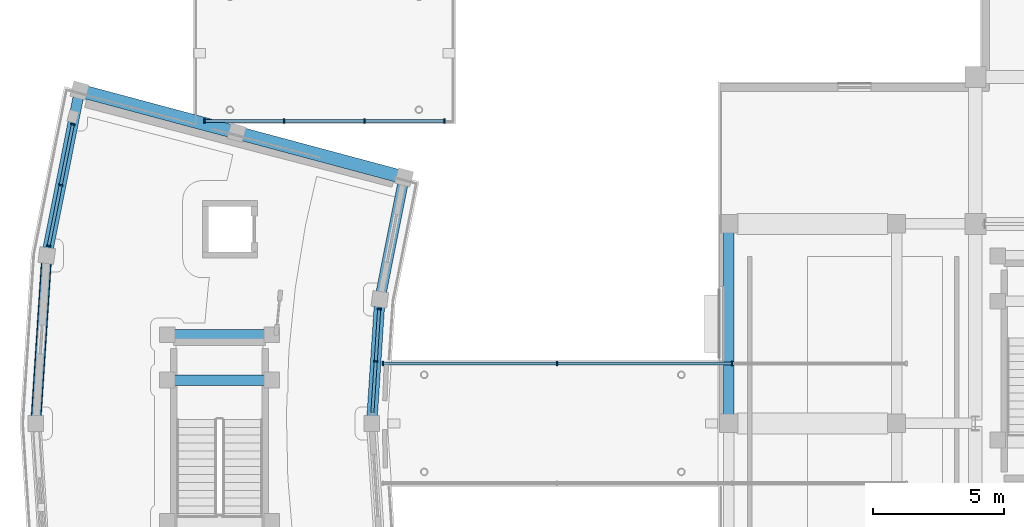
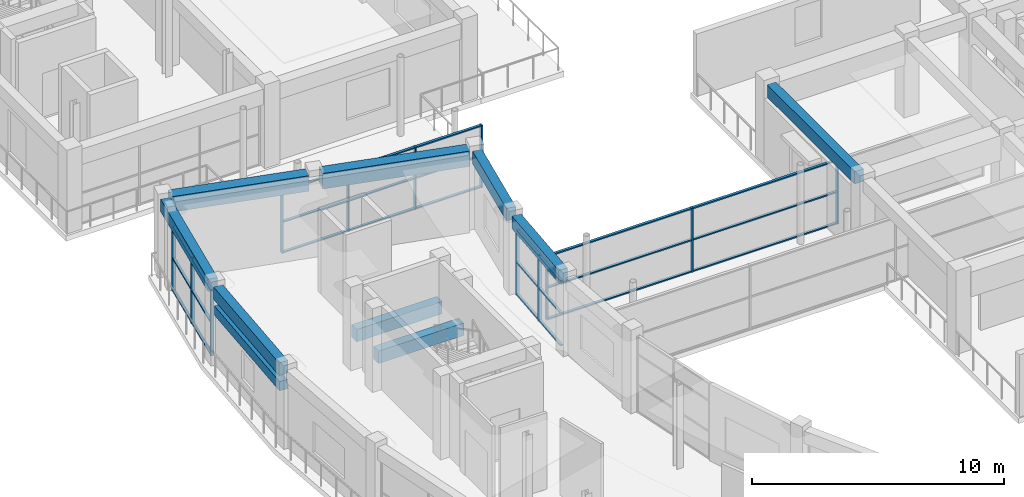
# One storey, part 19 of 70: 39 members, 10 beams, 4 elements without a shape of their own.
"""IFC4 building model written with IfcOpenShell, lengths in metres."""

from ifc_helpers import new_model, si_unit, direction, frame, origin, origin_2d, place, context, subcontext, project, spatial, rectangle, extrude, material, material_profile, profile_set, type_object, element, aggregate, save


model = new_model("IFC4")

# Units and contexts
model_context = context("Model", 3, precision=1e-05, world=origin(), true_north=direction((0.0, 1.0)))
body_context = subcontext(model_context, "Body", "Model", "MODEL_VIEW")
ifc_project = project(units=[si_unit("LENGTHUNIT", "METRE"), si_unit("AREAUNIT", "SQUARE_METRE"), si_unit("VOLUMEUNIT", "CUBIC_METRE"), si_unit("PLANEANGLEUNIT", "RADIAN"), si_unit("MASSUNIT", "GRAM", prefix="KILO")], contexts=[model_context])

# Site, building, storey
site_placement = place(None, origin())
site = spatial("IfcSite", under=ifc_project, at=site_placement, CompositionType="ELEMENT")
building_placement = place(site_placement, origin())
building = spatial("IfcBuilding", under=site, at=building_placement, Name="Saryqyr Civic Hall", CompositionType="ELEMENT")
storey_placement = place(building_placement, frame((0.0, 0.0, 13.199951171875)))
storey = spatial("IfcBuildingStorey", under=building, at=storey_placement, Name="L03", CompositionType="ELEMENT", Elevation=13.199951171875)

# Curtain wall, members
ifc_material_1 = material(Name="Anodised aluminium and triple low-E glass", Category="aluminium")
curtain_wall_type_1 = type_object("IfcCurtainWallType", Name="ENV-CW-STD-28", PredefinedType="NOTDEFINED", material=ifc_material_1)
curtain_wall_1_placement = place(storey_placement, origin())
curtain_wall_1 = element("IfcCurtainWall", 1, at=curtain_wall_1_placement, inside=storey, type_object=curtain_wall_type_1, Name="Curtain wall V4-CWO-L03-00", PredefinedType="NOTDEFINED")
ifc_material_2 = material(Name="Anodised aluminium", Category="aluminium")
ifc_material_profile_1 = material_profile(ifc_material_2, rectangle(XDim=0.06005859375, YDim=0.159912109375, at=origin_2d()), Name="ALU MULLION 60x160")
ifc_profile_set_1 = profile_set([ifc_material_profile_1], Name="Anodised aluminium")
member_type_1 = type_object("IfcMemberType", Name="ENV-CW-MUL-180", PredefinedType="MULLION", material=ifc_profile_set_1)
member_1_placement = place(storey_placement, frame((8.49267578125, 90.76513671875, 0.0), z_axis=(0.0, 0.0, 1.0), x_axis=(0.195097982764, 0.980783756555, 0.0)))
member_1 = element("IfcMember", 2, at=member_1_placement, type_object=member_type_1, Name="CW-28 mullion 1", PredefinedType="MULLION", context=body_context, shape_type="SweptSolid", body=[
    extrude(rectangle(XDim=0.06005859375, YDim=0.159912109375, at=origin_2d()), origin(), (0.0, 0.0, 1.0), 3.1650390625),
])
member_2_placement = place(storey_placement, frame((8.952880859375, 93.079345703125, 0.0), z_axis=(0.0, 0.0, 1.0), x_axis=(0.195097982764, 0.980783756555, 0.0)))
member_2 = element("IfcMember", 3, at=member_2_placement, type_object=member_type_1, Name="CW-28 mullion 2", PredefinedType="MULLION", context=body_context, shape_type="SweptSolid", body=[
    extrude(rectangle(XDim=0.06005859375, YDim=0.159912109375, at=origin_2d()), origin(), (0.0, 0.0, 1.0), 3.1650390625),
])
member_3_placement = place(storey_placement, frame((9.413330078125, 95.3935546875, 0.0), z_axis=(0.0, 0.0, 1.0), x_axis=(0.195097982764, 0.980783756555, 0.0)))
member_3 = element("IfcMember", 4, at=member_3_placement, type_object=member_type_1, Name="CW-28 mullion 3", PredefinedType="MULLION", context=body_context, shape_type="SweptSolid", body=[
    extrude(rectangle(XDim=0.06005859375, YDim=0.159912109375, at=origin_2d()), origin(), (0.0, 0.0, 1.0), 3.1650390625),
])

curtain_wall_type_2 = type_object("IfcCurtainWallType", Name="ENV-CW-STD-21", PredefinedType="NOTDEFINED", material=ifc_material_1)
curtain_wall_2_placement = place(storey_placement, origin())
curtain_wall_2 = element("IfcCurtainWall", 5, at=curtain_wall_2_placement, inside=storey, type_object=curtain_wall_type_2, Name="Curtain wall V4-CWI-L03-01", PredefinedType="NOTDEFINED")
member_4_placement = place(storey_placement, frame((21.08544921875, 88.35498046875, 0.0), z_axis=(0.0, 0.0, 1.0), x_axis=(-0.065397404214, -0.997859298459, 0.0)))
member_4 = element("IfcMember", 6, at=member_4_placement, type_object=member_type_1, Name="CW-21 mullion 1", PredefinedType="MULLION", context=body_context, shape_type="SweptSolid", body=[
    extrude(rectangle(XDim=0.06005859375, YDim=0.159912109375, at=origin_2d()), origin(), (0.0, 0.0, 1.0), 3.1650390625),
])
member_5_placement = place(storey_placement, frame((20.954833984375, 86.362548828125, 0.0), z_axis=(0.0, 0.0, 1.0), x_axis=(-0.065397404214, -0.997859298459, 0.0)))
member_5 = element("IfcMember", 7, at=member_5_placement, type_object=member_type_1, Name="CW-21 mullion 2", PredefinedType="MULLION", context=body_context, shape_type="SweptSolid", body=[
    extrude(rectangle(XDim=0.06005859375, YDim=0.159912109375, at=origin_2d()), origin(), (0.0, 0.0, 1.0), 3.1650390625),
])

curtain_wall_type_3 = type_object("IfcCurtainWallType", Name="ENV-CW-STD-84", PredefinedType="NOTDEFINED", material=ifc_material_1)
curtain_wall_3_placement = place(storey_placement, origin())
curtain_wall_3 = element("IfcCurtainWall", 8, at=curtain_wall_3_placement, inside=storey, type_object=curtain_wall_type_3, Name="Curtain wall BR-NW-CW1-L03", PredefinedType="NOTDEFINED")
member_6_placement = place(storey_placement, frame((23.570068359375, 95.52001953125, 0.0), z_axis=(0.0, 0.0, 1.0), x_axis=(-1.0, 0.0, 0.0)))
member_6 = element("IfcMember", 9, at=member_6_placement, type_object=member_type_1, Name="CW-84 mullion 1", PredefinedType="MULLION", context=body_context, shape_type="SweptSolid", body=[
    extrude(rectangle(XDim=0.06005859375, YDim=0.159912109375, at=origin_2d()), origin(), (0.0, 0.0, 1.0), 3.01513671875),
])
member_7_placement = place(storey_placement, frame((20.533447265625, 95.52001953125, 0.0), z_axis=(0.0, 0.0, 1.0), x_axis=(-1.0, 0.0, 0.0)))
member_7 = element("IfcMember", 10, at=member_7_placement, type_object=member_type_1, Name="CW-84 mullion 2", PredefinedType="MULLION", context=body_context, shape_type="SweptSolid", body=[
    extrude(rectangle(XDim=0.06005859375, YDim=0.159912109375, at=origin_2d()), origin(), (0.0, 0.0, 1.0), 3.01513671875),
])
member_8_placement = place(storey_placement, frame((17.466552734375, 95.52001953125, 0.0), z_axis=(0.0, 0.0, 1.0), x_axis=(-1.0, 0.0, 0.0)))
member_8 = element("IfcMember", 11, at=member_8_placement, type_object=member_type_1, Name="CW-84 mullion 3", PredefinedType="MULLION", context=body_context, shape_type="SweptSolid", body=[
    extrude(rectangle(XDim=0.06005859375, YDim=0.159912109375, at=origin_2d()), origin(), (0.0, 0.0, 1.0), 3.01513671875),
])
member_9_placement = place(storey_placement, frame((14.429931640625, 95.52001953125, 0.0), z_axis=(0.0, 0.0, 1.0), x_axis=(-1.0, 0.0, 0.0)))
member_9 = element("IfcMember", 12, at=member_9_placement, type_object=member_type_1, Name="CW-84 mullion 4", PredefinedType="MULLION", context=body_context, shape_type="SweptSolid", body=[
    extrude(rectangle(XDim=0.06005859375, YDim=0.159912109375, at=origin_2d()), origin(), (0.0, 0.0, 1.0), 3.01513671875),
])

curtain_wall_type_4 = type_object("IfcCurtainWallType", Name="ENV-CW-STD-86", PredefinedType="NOTDEFINED", material=ifc_material_1)
curtain_wall_4_placement = place(storey_placement, origin())
curtain_wall_4 = element("IfcCurtainWall", 13, at=curtain_wall_4_placement, inside=storey, type_object=curtain_wall_type_4, Name="Curtain wall BR-CW-CW2-L03", PredefinedType="NOTDEFINED")
member_10_placement = place(storey_placement, frame((21.22998046875, 86.280029296875, 0.0), z_axis=(0.0, 0.0, 1.0), x_axis=(1.0, 0.0, 0.0)))
member_10 = element("IfcMember", 14, at=member_10_placement, type_object=member_type_1, Name="CW-86 mullion 1", PredefinedType="MULLION", context=body_context, shape_type="SweptSolid", body=[
    extrude(rectangle(XDim=0.06005859375, YDim=0.159912109375, at=origin_2d()), origin(), (0.0, 0.0, 1.0), 3.10009765625),
])
member_11_placement = place(storey_placement, frame((27.86669921875, 86.280029296875, 0.0), z_axis=(0.0, 0.0, 1.0), x_axis=(1.0, 0.0, 0.0)))
member_11 = element("IfcMember", 15, at=member_11_placement, type_object=member_type_1, Name="CW-86 mullion 2", PredefinedType="MULLION", context=body_context, shape_type="SweptSolid", body=[
    extrude(rectangle(XDim=0.06005859375, YDim=0.159912109375, at=origin_2d()), origin(), (0.0, 0.0, 1.0), 3.10009765625),
])
member_12_placement = place(storey_placement, frame((34.533447265625, 86.280029296875, 0.0), z_axis=(0.0, 0.0, 1.0), x_axis=(1.0, 0.0, 0.0)))
member_12 = element("IfcMember", 16, at=member_12_placement, type_object=member_type_1, Name="CW-86 mullion 3", PredefinedType="MULLION", context=body_context, shape_type="SweptSolid", body=[
    extrude(rectangle(XDim=0.06005859375, YDim=0.159912109375, at=origin_2d()), origin(), (0.0, 0.0, 1.0), 3.10009765625),
])

# Member
ifc_material_profile_2 = material_profile(ifc_material_2, rectangle(XDim=0.1201171875, YDim=0.06005859375, at=origin_2d()), Name="ALU TRANSOM 120x60")
ifc_profile_set_2 = profile_set([ifc_material_profile_2], Name="Anodised aluminium")
member_type_2 = type_object("IfcMemberType", Name="ENV-CW-TRN-150", PredefinedType="USERDEFINED", material=ifc_profile_set_2)
member_13_placement = place(storey_placement, frame((8.49853515625, 90.794677734375, 0.030029296875), z_axis=(0.19513602868, 0.980776187675, 0.0), x_axis=(-0.980776187675, 0.19513602868, 0.0)))
member_13 = element("IfcMember", 17, at=member_13_placement, type_object=member_type_2, Name="CW-28 transom 1.1", ObjectType="TRANSOM", PredefinedType="USERDEFINED", context=body_context, shape_type="SweptSolid", body=[
    extrude(rectangle(XDim=0.1201171875, YDim=0.06005859375, at=origin_2d()), origin(), (0.0, 0.0, 1.0), 2.299560546875),
])

member_14_placement = place(storey_placement, frame((8.49853515625, 90.794677734375, 1.58203125), z_axis=(0.19513602868, 0.980776187675, 0.0), x_axis=(-0.980776187675, 0.19513602868, 0.0)))
member_14 = element("IfcMember", 18, at=member_14_placement, type_object=member_type_2, Name="CW-28 transom 1.2", ObjectType="TRANSOM", PredefinedType="USERDEFINED", context=body_context, shape_type="SweptSolid", body=[
    extrude(rectangle(XDim=0.1201171875, YDim=0.06005859375, at=origin_2d()), origin(), (0.0, 0.0, 1.0), 2.299560546875),
])

member_15_placement = place(storey_placement, frame((8.49853515625, 90.794677734375, 3.135009765625), z_axis=(0.19513602868, 0.980776187675, 0.0), x_axis=(-0.980776187675, 0.19513602868, 0.0)))
member_15 = element("IfcMember", 19, at=member_15_placement, type_object=member_type_2, Name="CW-28 transom 1.3", ObjectType="TRANSOM", PredefinedType="USERDEFINED", context=body_context, shape_type="SweptSolid", body=[
    extrude(rectangle(XDim=0.1201171875, YDim=0.06005859375, at=origin_2d()), origin(), (0.0, 0.0, 1.0), 2.299560546875),
])

member_16_placement = place(storey_placement, frame((8.958740234375, 93.10888671875, 0.030029296875), z_axis=(0.19513602868, 0.980776187675, 0.0), x_axis=(-0.980776187675, 0.19513602868, 0.0)))
member_16 = element("IfcMember", 20, at=member_16_placement, type_object=member_type_2, Name="CW-28 transom 2.1", ObjectType="TRANSOM", PredefinedType="USERDEFINED", context=body_context, shape_type="SweptSolid", body=[
    extrude(rectangle(XDim=0.1201171875, YDim=0.06005859375, at=origin_2d()), origin(), (0.0, 0.0, 1.0), 2.299560546875),
])

member_17_placement = place(storey_placement, frame((8.958740234375, 93.10888671875, 1.58203125), z_axis=(0.19513602868, 0.980776187675, 0.0), x_axis=(-0.980776187675, 0.19513602868, 0.0)))
member_17 = element("IfcMember", 21, at=member_17_placement, type_object=member_type_2, Name="CW-28 transom 2.2", ObjectType="TRANSOM", PredefinedType="USERDEFINED", context=body_context, shape_type="SweptSolid", body=[
    extrude(rectangle(XDim=0.1201171875, YDim=0.06005859375, at=origin_2d()), origin(), (0.0, 0.0, 1.0), 2.299560546875),
])

member_18_placement = place(storey_placement, frame((8.958740234375, 93.10888671875, 3.135009765625), z_axis=(0.19513602868, 0.980776187675, 0.0), x_axis=(-0.980776187675, 0.19513602868, 0.0)))
member_18 = element("IfcMember", 22, at=member_18_placement, type_object=member_type_2, Name="CW-28 transom 2.3", ObjectType="TRANSOM", PredefinedType="USERDEFINED", context=body_context, shape_type="SweptSolid", body=[
    extrude(rectangle(XDim=0.1201171875, YDim=0.06005859375, at=origin_2d()), origin(), (0.0, 0.0, 1.0), 2.299560546875),
])

aggregate(curtain_wall_1, [member_1, member_2, member_3, member_13, member_14, member_15, member_16, member_17, member_18])

member_19_placement = place(storey_placement, frame((21.08349609375, 88.3251953125, 0.030029296875), z_axis=(-0.065414726113, -0.997858163071, 0.0), x_axis=(0.997858163071, -0.065414726113, 0.0)))
member_19 = element("IfcMember", 23, at=member_19_placement, type_object=member_type_2, Name="CW-21 transom 1.1", ObjectType="TRANSOM", PredefinedType="USERDEFINED", context=body_context, shape_type="SweptSolid", body=[
    extrude(rectangle(XDim=0.1201171875, YDim=0.06005859375, at=origin_2d()), origin(), (0.0, 0.0, 1.0), 1.93701171875),
])

member_20_placement = place(storey_placement, frame((21.08349609375, 88.3251953125, 1.58203125), z_axis=(-0.065414726113, -0.997858163071, 0.0), x_axis=(0.997858163071, -0.065414726113, 0.0)))
member_20 = element("IfcMember", 24, at=member_20_placement, type_object=member_type_2, Name="CW-21 transom 1.2", ObjectType="TRANSOM", PredefinedType="USERDEFINED", context=body_context, shape_type="SweptSolid", body=[
    extrude(rectangle(XDim=0.1201171875, YDim=0.06005859375, at=origin_2d()), origin(), (0.0, 0.0, 1.0), 1.93701171875),
])

member_21_placement = place(storey_placement, frame((21.08349609375, 88.3251953125, 3.135009765625), z_axis=(-0.065414726113, -0.997858163071, 0.0), x_axis=(0.997858163071, -0.065414726113, 0.0)))
member_21 = element("IfcMember", 25, at=member_21_placement, type_object=member_type_2, Name="CW-21 transom 1.3", ObjectType="TRANSOM", PredefinedType="USERDEFINED", context=body_context, shape_type="SweptSolid", body=[
    extrude(rectangle(XDim=0.1201171875, YDim=0.06005859375, at=origin_2d()), origin(), (0.0, 0.0, 1.0), 1.93701171875),
])

member_22_placement = place(storey_placement, frame((20.952880859375, 86.33251953125, 0.030029296875), z_axis=(-0.065422954354, -0.997857623634, 0.0), x_axis=(0.997857623634, -0.065422954354, 0.0)))
member_22 = element("IfcMember", 26, at=member_22_placement, type_object=member_type_2, Name="CW-21 transom 2.1", ObjectType="TRANSOM", PredefinedType="USERDEFINED", context=body_context, shape_type="SweptSolid", body=[
    extrude(rectangle(XDim=0.1201171875, YDim=0.06005859375, at=origin_2d()), origin(), (0.0, 0.0, 1.0), 1.936767578125),
])

member_23_placement = place(storey_placement, frame((20.952880859375, 86.33251953125, 1.58203125), z_axis=(-0.065422954354, -0.997857623634, 0.0), x_axis=(0.997857623634, -0.065422954354, 0.0)))
member_23 = element("IfcMember", 27, at=member_23_placement, type_object=member_type_2, Name="CW-21 transom 2.2", ObjectType="TRANSOM", PredefinedType="USERDEFINED", context=body_context, shape_type="SweptSolid", body=[
    extrude(rectangle(XDim=0.1201171875, YDim=0.06005859375, at=origin_2d()), origin(), (0.0, 0.0, 1.0), 1.936767578125),
])

member_24_placement = place(storey_placement, frame((20.952880859375, 86.33251953125, 3.135009765625), z_axis=(-0.065422954354, -0.997857623634, 0.0), x_axis=(0.997857623634, -0.065422954354, 0.0)))
member_24 = element("IfcMember", 28, at=member_24_placement, type_object=member_type_2, Name="CW-21 transom 2.3", ObjectType="TRANSOM", PredefinedType="USERDEFINED", context=body_context, shape_type="SweptSolid", body=[
    extrude(rectangle(XDim=0.1201171875, YDim=0.06005859375, at=origin_2d()), origin(), (0.0, 0.0, 1.0), 1.936767578125),
])

aggregate(curtain_wall_2, [member_4, member_5, member_19, member_20, member_21, member_22, member_23, member_24])

member_25_placement = place(storey_placement, frame((23.5400390625, 95.52001953125, 0.030029296875), z_axis=(-1.0, 0.0, 0.0), x_axis=(0.0, -1.0, 0.0)))
member_25 = element("IfcMember", 29, at=member_25_placement, type_object=member_type_2, Name="CW-84 transom 1.1", ObjectType="TRANSOM", PredefinedType="USERDEFINED", context=body_context, shape_type="SweptSolid", body=[
    extrude(rectangle(XDim=0.1201171875, YDim=0.06005859375, at=origin_2d()), origin(), (0.0, 0.0, 1.0), 2.976806640625),
])

member_26_placement = place(storey_placement, frame((23.5400390625, 95.52001953125, 1.507080078125), z_axis=(-1.0, 0.0, 0.0), x_axis=(0.0, -1.0, 0.0)))
member_26 = element("IfcMember", 30, at=member_26_placement, type_object=member_type_2, Name="CW-84 transom 1.2", ObjectType="TRANSOM", PredefinedType="USERDEFINED", context=body_context, shape_type="SweptSolid", body=[
    extrude(rectangle(XDim=0.1201171875, YDim=0.06005859375, at=origin_2d()), origin(), (0.0, 0.0, 1.0), 2.976806640625),
])

member_27_placement = place(storey_placement, frame((23.5400390625, 95.52001953125, 2.985107421875), z_axis=(-1.0, 0.0, 0.0), x_axis=(0.0, -1.0, 0.0)))
member_27 = element("IfcMember", 31, at=member_27_placement, type_object=member_type_2, Name="CW-84 transom 1.3", ObjectType="TRANSOM", PredefinedType="USERDEFINED", context=body_context, shape_type="SweptSolid", body=[
    extrude(rectangle(XDim=0.1201171875, YDim=0.06005859375, at=origin_2d()), origin(), (0.0, 0.0, 1.0), 2.976806640625),
])

member_28_placement = place(storey_placement, frame((20.50341796875, 95.52001953125, 0.030029296875), z_axis=(-1.0, 0.0, 0.0), x_axis=(0.0, -1.0, 0.0)))
member_28 = element("IfcMember", 32, at=member_28_placement, type_object=member_type_2, Name="CW-84 transom 2.1", ObjectType="TRANSOM", PredefinedType="USERDEFINED", context=body_context, shape_type="SweptSolid", body=[
    extrude(rectangle(XDim=0.1201171875, YDim=0.06005859375, at=origin_2d()), origin(), (0.0, 0.0, 1.0), 3.0068359375),
])

member_29_placement = place(storey_placement, frame((20.50341796875, 95.52001953125, 1.507080078125), z_axis=(-1.0, 0.0, 0.0), x_axis=(0.0, -1.0, 0.0)))
member_29 = element("IfcMember", 33, at=member_29_placement, type_object=member_type_2, Name="CW-84 transom 2.2", ObjectType="TRANSOM", PredefinedType="USERDEFINED", context=body_context, shape_type="SweptSolid", body=[
    extrude(rectangle(XDim=0.1201171875, YDim=0.06005859375, at=origin_2d()), origin(), (0.0, 0.0, 1.0), 3.0068359375),
])

member_30_placement = place(storey_placement, frame((20.50341796875, 95.52001953125, 2.985107421875), z_axis=(-1.0, 0.0, 0.0), x_axis=(0.0, -1.0, 0.0)))
member_30 = element("IfcMember", 34, at=member_30_placement, type_object=member_type_2, Name="CW-84 transom 2.3", ObjectType="TRANSOM", PredefinedType="USERDEFINED", context=body_context, shape_type="SweptSolid", body=[
    extrude(rectangle(XDim=0.1201171875, YDim=0.06005859375, at=origin_2d()), origin(), (0.0, 0.0, 1.0), 3.0068359375),
])

member_31_placement = place(storey_placement, frame((17.436767578125, 95.52001953125, 0.030029296875), z_axis=(-1.0, 0.0, 0.0), x_axis=(0.0, -1.0, 0.0)))
member_31 = element("IfcMember", 35, at=member_31_placement, type_object=member_type_2, Name="CW-84 transom 3.1", ObjectType="TRANSOM", PredefinedType="USERDEFINED", context=body_context, shape_type="SweptSolid", body=[
    extrude(rectangle(XDim=0.1201171875, YDim=0.06005859375, at=origin_2d()), origin(), (0.0, 0.0, 1.0), 2.976806640625),
])

member_32_placement = place(storey_placement, frame((17.436767578125, 95.52001953125, 1.507080078125), z_axis=(-1.0, 0.0, 0.0), x_axis=(0.0, -1.0, 0.0)))
member_32 = element("IfcMember", 36, at=member_32_placement, type_object=member_type_2, Name="CW-84 transom 3.2", ObjectType="TRANSOM", PredefinedType="USERDEFINED", context=body_context, shape_type="SweptSolid", body=[
    extrude(rectangle(XDim=0.1201171875, YDim=0.06005859375, at=origin_2d()), origin(), (0.0, 0.0, 1.0), 2.976806640625),
])

member_33_placement = place(storey_placement, frame((17.436767578125, 95.52001953125, 2.985107421875), z_axis=(-1.0, 0.0, 0.0), x_axis=(0.0, -1.0, 0.0)))
member_33 = element("IfcMember", 37, at=member_33_placement, type_object=member_type_2, Name="CW-84 transom 3.3", ObjectType="TRANSOM", PredefinedType="USERDEFINED", context=body_context, shape_type="SweptSolid", body=[
    extrude(rectangle(XDim=0.1201171875, YDim=0.06005859375, at=origin_2d()), origin(), (0.0, 0.0, 1.0), 2.976806640625),
])

aggregate(curtain_wall_3, [member_6, member_7, member_8, member_9, member_25, member_26, member_27, member_28, member_29, member_30, member_31, member_32, member_33])

member_34_placement = place(storey_placement, frame((21.260009765625, 86.280029296875, 0.030029296875), z_axis=(1.0, 0.0, 0.0), x_axis=(0.0, 1.0, 0.0)))
member_34 = element("IfcMember", 38, at=member_34_placement, type_object=member_type_2, Name="CW-86 transom 1.1", ObjectType="TRANSOM", PredefinedType="USERDEFINED", context=body_context, shape_type="SweptSolid", body=[
    extrude(rectangle(XDim=0.1201171875, YDim=0.06005859375, at=origin_2d()), origin(), (0.0, 0.0, 1.0), 6.57666015625),
])

member_35_placement = place(storey_placement, frame((21.260009765625, 86.280029296875, 1.550048828125), z_axis=(1.0, 0.0, 0.0), x_axis=(0.0, 1.0, 0.0)))
member_35 = element("IfcMember", 39, at=member_35_placement, type_object=member_type_2, Name="CW-86 transom 1.2", ObjectType="TRANSOM", PredefinedType="USERDEFINED", context=body_context, shape_type="SweptSolid", body=[
    extrude(rectangle(XDim=0.1201171875, YDim=0.06005859375, at=origin_2d()), origin(), (0.0, 0.0, 1.0), 6.57666015625),
])

member_36_placement = place(storey_placement, frame((21.260009765625, 86.280029296875, 3.070068359375), z_axis=(1.0, 0.0, 0.0), x_axis=(0.0, 1.0, 0.0)))
member_36 = element("IfcMember", 40, at=member_36_placement, type_object=member_type_2, Name="CW-86 transom 1.3", ObjectType="TRANSOM", PredefinedType="USERDEFINED", context=body_context, shape_type="SweptSolid", body=[
    extrude(rectangle(XDim=0.1201171875, YDim=0.06005859375, at=origin_2d()), origin(), (0.0, 0.0, 1.0), 6.57666015625),
])

member_37_placement = place(storey_placement, frame((27.896728515625, 86.280029296875, 0.030029296875), z_axis=(1.0, 0.0, 0.0), x_axis=(0.0, 1.0, 0.0)))
member_37 = element("IfcMember", 41, at=member_37_placement, type_object=member_type_2, Name="CW-86 transom 2.1", ObjectType="TRANSOM", PredefinedType="USERDEFINED", context=body_context, shape_type="SweptSolid", body=[
    extrude(rectangle(XDim=0.1201171875, YDim=0.06005859375, at=origin_2d()), origin(), (0.0, 0.0, 1.0), 6.606689453125),
])

member_38_placement = place(storey_placement, frame((27.896728515625, 86.280029296875, 1.550048828125), z_axis=(1.0, 0.0, 0.0), x_axis=(0.0, 1.0, 0.0)))
member_38 = element("IfcMember", 42, at=member_38_placement, type_object=member_type_2, Name="CW-86 transom 2.2", ObjectType="TRANSOM", PredefinedType="USERDEFINED", context=body_context, shape_type="SweptSolid", body=[
    extrude(rectangle(XDim=0.1201171875, YDim=0.06005859375, at=origin_2d()), origin(), (0.0, 0.0, 1.0), 6.606689453125),
])

member_39_placement = place(storey_placement, frame((27.896728515625, 86.280029296875, 3.070068359375), z_axis=(1.0, 0.0, 0.0), x_axis=(0.0, 1.0, 0.0)))
member_39 = element("IfcMember", 43, at=member_39_placement, type_object=member_type_2, Name="CW-86 transom 2.3", ObjectType="TRANSOM", PredefinedType="USERDEFINED", context=body_context, shape_type="SweptSolid", body=[
    extrude(rectangle(XDim=0.1201171875, YDim=0.06005859375, at=origin_2d()), origin(), (0.0, 0.0, 1.0), 6.606689453125),
])

aggregate(curtain_wall_4, [member_10, member_11, member_12, member_34, member_35, member_36, member_37, member_38, member_39])

# Beams
ifc_material_3 = material(Name="Concrete C35/45", Category="concrete")
ifc_material_profile_3 = material_profile(ifc_material_3, rectangle(XDim=0.39990234375, YDim=0.60009765625, at=origin_2d()), Name="RC 400x600")
ifc_profile_set_3 = profile_set([ifc_material_profile_3], Name="Concrete C35/45")
beam_type_1 = type_object("IfcBeamType", Name="STR-BM-RC400x600", PredefinedType="BEAM", material=ifc_profile_set_3)
beam_1_placement = place(storey_placement, frame((34.39990234375, 84.324951171875, 3.489990234375), z_axis=(0.0, 1.0, 0.0), x_axis=(-1.0, 0.0, 0.0)))
element("IfcBeam", 44, at=beam_1_placement, inside=storey, type_object=beam_type_1, Name="Beam V1-TBM-02-L03", PredefinedType="BEAM", context=body_context, shape_type="SweptSolid", body=[
    extrude(rectangle(XDim=0.39990234375, YDim=0.60009765625, at=origin_2d()), origin(), (0.0, 0.0, 1.0), 6.949951171875),
])
for number, where, z_axis, x_axis, name in (
    (45, (16.949951171875, 85.64990234375, 1.525146484375), (-1.0, 0.0, 0.0), (0.0, -1.0, 0.0), "Stair half-landing support beam ST-4-LND1-L03"),
    (46, (16.949951171875, 87.3798828125, 1.525146484375), (-1.0, 0.0, 0.0), (0.0, -1.0, 0.0), "Stair half-landing support beam ST-4-LND2-L03"),
):
    element("IfcBeam", number, at=place(storey_placement, frame(where, z_axis=z_axis, x_axis=x_axis)), inside=storey, type_object=beam_type_1, Name=name, PredefinedType="BEAM", context=body_context, shape_type="SweptSolid", body=[
        extrude(rectangle(XDim=0.39990234375, YDim=0.60009765625, at=origin_2d()), origin(), (0.0, 0.0, 1.0), 3.89990234375),
    ])
ifc_material_profile_4 = material_profile(ifc_material_3, rectangle(XDim=0.39990234375, YDim=0.60009765625, at=origin_2d()), Name="RC 400x600")
ifc_profile_set_4 = profile_set([ifc_material_profile_4], Name="Concrete C35/45")
beam_type_2 = type_object("IfcBeamType", Name="STR-BM-RC400x600-EXT", PredefinedType="BEAM", material=ifc_profile_set_4)
beam_2_placement = place(storey_placement, frame((21.979736328125, 93.099609375, 3.489990234375), z_axis=(-0.195061562162, -0.980791000656, 0.0), x_axis=(0.980791000656, -0.195061562162, 0.0)))
element("IfcBeam", 47, at=beam_2_placement, inside=storey, type_object=beam_type_2, Name="Beam V4-CBM-IN00-L03", PredefinedType="BEAM", context=body_context, shape_type="SweptSolid", body=[
    extrude(rectangle(XDim=0.39990234375, YDim=0.60009765625, at=origin_2d()), origin(), (0.0, 0.0, 1.0), 4.185302734375),
])
beam_3_placement = place(storey_placement, frame((9.615966796875, 96.412353515625, 3.489990234375), z_axis=(-0.195082377398, -0.980786860653, 0.0), x_axis=(0.980786860653, -0.195082377398, 0.0)))
element("IfcBeam", 48, at=beam_3_placement, inside=storey, type_object=beam_type_2, Name="Beam V4-CBM-OUT00-L03", PredefinedType="BEAM", context=body_context, shape_type="SweptSolid", body=[
    extrude(rectangle(XDim=0.39990234375, YDim=0.60009765625, at=origin_2d()), origin(), (0.0, 0.0, 1.0), 5.859375),
])
beam_4_placement = place(storey_placement, frame((21.091796875, 88.45068359375, 3.489990234375), z_axis=(-0.065392297948, -0.997859633099, 0.0), x_axis=(0.997859633099, -0.065392297948, 0.0)))
element("IfcBeam", 49, at=beam_4_placement, inside=storey, type_object=beam_type_2, Name="Beam V4-CBM-IN01-L03", PredefinedType="BEAM", context=body_context, shape_type="SweptSolid", body=[
    extrude(rectangle(XDim=0.39990234375, YDim=0.60009765625, at=origin_2d()), origin(), (0.0, 0.0, 1.0), 4.185302734375),
])
beam_5_placement = place(storey_placement, frame((8.401123046875, 90.121337890625, 3.489990234375), z_axis=(-0.06537407149, -0.997860827359, 0.0), x_axis=(0.997860827359, -0.06537407149, 0.0)))
element("IfcBeam", 50, at=beam_5_placement, inside=storey, type_object=beam_type_2, Name="Beam V4-CBM-OUT01-L03", PredefinedType="BEAM", context=body_context, shape_type="SweptSolid", body=[
    extrude(rectangle(XDim=0.39990234375, YDim=0.60009765625, at=origin_2d()), origin(), (0.0, 0.0, 1.0), 5.859375),
])
ifc_material_4 = material(Name="Concrete C40/50", Category="concrete")
ifc_material_profile_5 = material_profile(ifc_material_4, rectangle(XDim=0.5, YDim=0.75, at=origin_2d()), Name="RC 500x750")
ifc_profile_set_5 = profile_set([ifc_material_profile_5], Name="Concrete C40/50")
beam_type_3 = type_object("IfcBeamType", Name="STR-BM-RC500x750", PredefinedType="BEAM", material=ifc_profile_set_5)
beam_6_placement = place(storey_placement, frame((21.767822265625, 93.4404296875, 3.4150390625), z_axis=(-0.965922112277, 0.258832905588, 0.0), x_axis=(-0.258832905588, -0.965922112277, 0.0)))
element("IfcBeam", 51, at=beam_6_placement, inside=storey, type_object=beam_type_3, Name="Beam V4-RBM-A00-L03", PredefinedType="BEAM", context=body_context, shape_type="SweptSolid", body=[
    extrude(rectangle(XDim=0.5, YDim=0.75, at=origin_2d()), origin(), (0.0, 0.0, 1.0), 6.0498046875),
])
beam_7_placement = place(storey_placement, frame((15.392822265625, 95.148681640625, 3.4150390625), z_axis=(-0.965933779291, 0.25878936227, 0.0), x_axis=(-0.25878936227, -0.965933779291, 0.0)))
element("IfcBeam", 52, at=beam_7_placement, inside=storey, type_object=beam_type_3, Name="Beam V4-RBM-B00-L03", PredefinedType="BEAM", context=body_context, shape_type="SweptSolid", body=[
    extrude(rectangle(XDim=0.5, YDim=0.75, at=origin_2d()), origin(), (0.0, 0.0, 1.0), 5.64990234375),
])
ifc_material_5 = material(Name="Precast concrete C40/50", Category="concrete")
ifc_material_profile_6 = material_profile(ifc_material_5, rectangle(XDim=0.35009765625, YDim=0.449951171875, at=origin_2d()), Name="RC 350x450")
ifc_profile_set_6 = profile_set([ifc_material_profile_6], Name="Precast concrete C40/50")
beam_type_4 = type_object("IfcBeamType", Name="STR-LIN-RC350x450", PredefinedType="LINTEL", material=ifc_profile_set_6)
beam_8_placement = place(storey_placement, frame((8.401123046875, 90.121337890625, 2.655029296875), z_axis=(-0.06537407149, -0.997860827359, 0.0), x_axis=(0.997860827359, -0.06537407149, 0.0)))
element("IfcBeam", 53, at=beam_8_placement, inside=storey, type_object=beam_type_4, Name="Beam V4-LIN-01-L03", PredefinedType="LINTEL", context=body_context, shape_type="SweptSolid", body=[
    extrude(rectangle(XDim=0.35009765625, YDim=0.449951171875, at=origin_2d()), origin(), (0.0, 0.0, 1.0), 5.859375),
])

save(model, "model.ifc")
